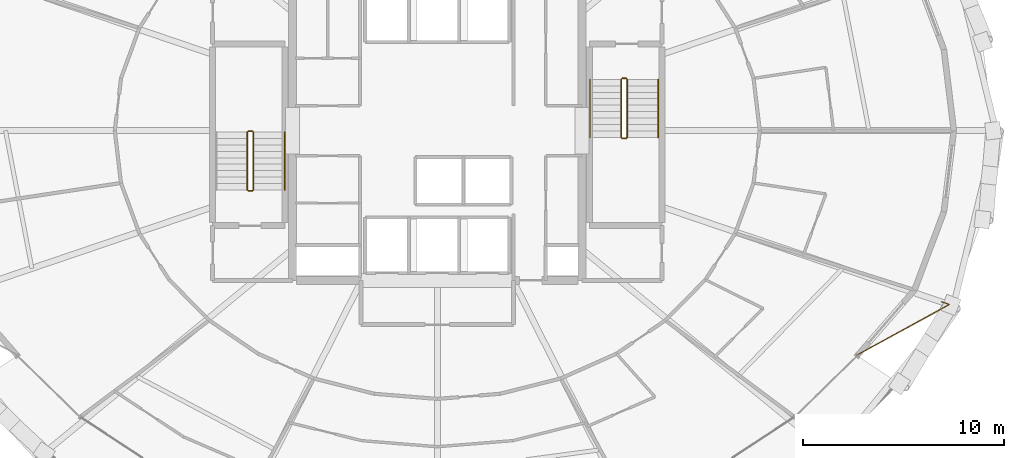
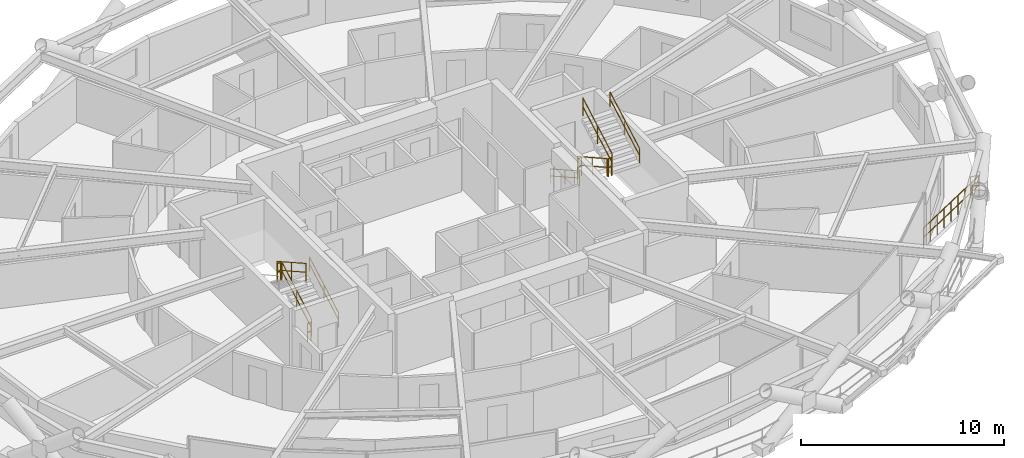
# One storey, part 19 of 19: 12 railings.
"""IFC4 building model written with IfcOpenShell, lengths in metres."""

from ifc_helpers import new_model, si_unit, direction, frame, origin, origin_2d, place, context, subcontext, project, spatial, circle, extrude, material, type_object, element, save


model = new_model("IFC4")

# Units and contexts
model_context = context("Model", 3, precision=1e-05, world=origin(), true_north=direction((0.0, 1.0)))
body_context = subcontext(model_context, "Body", "Model", "MODEL_VIEW")
ifc_project = project(units=[si_unit("LENGTHUNIT", "METRE"), si_unit("AREAUNIT", "SQUARE_METRE"), si_unit("VOLUMEUNIT", "CUBIC_METRE"), si_unit("PLANEANGLEUNIT", "RADIAN"), si_unit("MASSUNIT", "GRAM", prefix="KILO")], contexts=[model_context])

# Site, building, storey
site_placement = place(None, origin())
site = spatial("IfcSite", under=ifc_project, at=site_placement, CompositionType="ELEMENT")
building_placement = place(site_placement, origin())
building = spatial("IfcBuilding", under=site, at=building_placement, Name="Veldorina Hangang Commons", CompositionType="ELEMENT")
storey_placement = place(building_placement, frame((0.0, 0.0, 34.0)))
storey = spatial("IfcBuildingStorey", under=building, at=storey_placement, Name="L07", CompositionType="ELEMENT", Elevation=34.0)

# Railings
ifc_material_1 = material(Name="Glass Laminated Safety Balustrade", Category="glass")
railing_type_1 = type_object("IfcRailingType", Name="RL-BAL-LOGGIA", PredefinedType="BALUSTRADE", material=ifc_material_1)
railing_1_placement = place(storey_placement, frame((57.08837890625, 15.486083984375, 0.0)))
element("IfcRailing", 1, at=railing_1_placement, inside=storey, type_object=railing_type_1, Name="L07 sky-garden loggia end balustrade B", PredefinedType="BALUSTRADE", context=body_context, shape_type="SweptSolid", body=[
    extrude(circle(Radius=0.02392578125, at=origin_2d()), frame((0.0, 0.0, 1.17578125), z_axis=(0.946924996106, -0.321454587383, 0.0), x_axis=(0.321454587383, 0.946924996106, 0.0)), (0.0, 0.0, 1.0), 0.419921875),
    extrude(circle(Radius=0.02392578125, at=origin_2d()), frame((0.0, 0.0, 0.60009765625), z_axis=(0.946924996106, -0.321454587383, 0.0), x_axis=(0.321454587383, 0.946924996106, 0.0)), (0.0, 0.0, 1.0), 0.419921875),
    extrude(circle(Radius=0.02392578125, at=origin_2d()), frame((0.397705078125, -0.135009765625, 1.17578125), z_axis=(-0.877056677059, -0.480386912005, 0.0), x_axis=(0.480386912005, -0.877056677059, 0.0)), (0.0, 0.0, 1.0), 5.258056640625),
    extrude(circle(Radius=0.02392578125, at=origin_2d()), frame((0.397705078125, -0.135009765625, 0.60009765625), z_axis=(-0.877056677059, -0.480386912005, 0.0), x_axis=(0.480386912005, -0.877056677059, 0.0)), (0.0, 0.0, 1.0), 5.258056640625),
    extrude(circle(Radius=0.02099609375, at=origin_2d()), origin(), (0.0, 0.0, 1.0), 1.15185546875),
    extrude(circle(Radius=0.02099609375, at=origin_2d()), frame((0.397705078125, -0.135009765625, 0.0)), (0.0, 0.0, 1.0), 1.15185546875),
    extrude(circle(Radius=0.02099609375, at=origin_2d()), frame((-0.1787109375, -0.45068359375, 0.0)), (0.0, 0.0, 1.0), 1.15185546875),
    extrude(circle(Radius=0.02099609375, at=origin_2d()), frame((-0.755126953125, -0.7666015625, 0.0)), (0.0, 0.0, 1.0), 1.15185546875),
    extrude(circle(Radius=0.02099609375, at=origin_2d()), frame((-1.33154296875, -1.082275390625, 0.0)), (0.0, 0.0, 1.0), 1.15185546875),
    extrude(circle(Radius=0.02099609375, at=origin_2d()), frame((-1.908203125, -1.39794921875, 0.0)), (0.0, 0.0, 1.0), 1.15185546875),
    extrude(circle(Radius=0.02099609375, at=origin_2d()), frame((-2.484619140625, -1.713623046875, 0.0)), (0.0, 0.0, 1.0), 1.15185546875),
    extrude(circle(Radius=0.02099609375, at=origin_2d()), frame((-3.06103515625, -2.029296875, 0.0)), (0.0, 0.0, 1.0), 1.15185546875),
    extrude(circle(Radius=0.02099609375, at=origin_2d()), frame((-3.637451171875, -2.34521484375, 0.0)), (0.0, 0.0, 1.0), 1.15185546875),
    extrude(circle(Radius=0.02099609375, at=origin_2d()), frame((-4.2138671875, -2.660888671875, 0.0)), (0.0, 0.0, 1.0), 1.15185546875),
])
ifc_material_2 = material(Name="Steel Painted Balustrade", Category="steel")
railing_type_2 = type_object("IfcRailingType", Name="RL-GRD-STAIR", PredefinedType="GUARDRAIL", material=ifc_material_2)
railing_2_placement = place(storey_placement, frame((22.85009765625, 21.050048828125, 0.179931640625)))
element("IfcRailing", 2, at=railing_2_placement, inside=storey, type_object=railing_type_2, Name="L07 ST-1 stair guard 1", PredefinedType="GUARDRAIL", context=body_context, shape_type="SweptSolid", body=[
    extrude(circle(Radius=0.02392578125, at=origin_2d()), frame((0.0, 0.0, 1.076171875), z_axis=(0.0, 0.87155185771, 0.490303333991), x_axis=(-1.0, 0.0, 0.0)), (0.0, 0.0, 1.0), 3.30419921875),
    extrude(circle(Radius=0.02392578125, at=origin_2d()), frame((0.0, 0.0, 0.550048828125), z_axis=(0.0, 0.87155185771, 0.490303333991), x_axis=(-1.0, 0.0, 0.0)), (0.0, 0.0, 1.0), 3.30419921875),
    extrude(circle(Radius=0.02099609375, at=origin_2d()), origin(), (0.0, 0.0, 1.0), 1.052001953125),
    extrude(circle(Radius=0.02099609375, at=origin_2d()), frame((0.0, 1.43994140625, 0.81005859375)), (0.0, 0.0, 1.0), 1.052001953125),
    extrude(circle(Radius=0.02099609375, at=origin_2d()), frame((0.0, 2.8798828125, 1.6201171875)), (0.0, 0.0, 1.0), 1.052001953125),
])
railing_3_placement = place(storey_placement, frame((22.800048828125, 23.97998046875, 1.800048828125)))
element("IfcRailing", 3, at=railing_3_placement, inside=storey, type_object=railing_type_2, Name="L07 ST-1 stair guard 2", PredefinedType="GUARDRAIL", context=body_context, shape_type="SweptSolid", body=[
    extrude(circle(Radius=0.02392578125, at=origin_2d()), frame((0.0, 0.0, 1.076171875), z_axis=(-1.0, 0.0, 0.0), x_axis=(0.0, -1.0, 0.0)), (0.0, 0.0, 1.0), 0.199951171875),
    extrude(circle(Radius=0.02392578125, at=origin_2d()), frame((0.0, 0.0, 0.550048828125), z_axis=(-1.0, 0.0, 0.0), x_axis=(0.0, -1.0, 0.0)), (0.0, 0.0, 1.0), 0.199951171875),
    extrude(circle(Radius=0.02099609375, at=origin_2d()), origin(), (0.0, 0.0, 1.0), 1.052001953125),
    extrude(circle(Radius=0.02099609375, at=origin_2d()), frame((-0.199951171875, 0.0, 0.0)), (0.0, 0.0, 1.0), 1.052001953125),
])
railing_4_placement = place(storey_placement, frame((22.550048828125, 23.929931640625, 1.97998046875)))
element("IfcRailing", 4, at=railing_4_placement, inside=storey, type_object=railing_type_2, Name="L07 ST-1 stair guard 3", PredefinedType="GUARDRAIL", context=body_context, shape_type="SweptSolid", body=[
    extrude(circle(Radius=0.02392578125, at=origin_2d()), frame((0.0, 0.0, 1.076171875), z_axis=(0.0, -0.87155185771, 0.490303333991), x_axis=(1.0, 0.0, 0.0)), (0.0, 0.0, 1.0), 3.30419921875),
    extrude(circle(Radius=0.02392578125, at=origin_2d()), frame((0.0, 0.0, 0.550048828125), z_axis=(0.0, -0.87155185771, 0.490303333991), x_axis=(1.0, 0.0, 0.0)), (0.0, 0.0, 1.0), 3.30419921875),
    extrude(circle(Radius=0.02099609375, at=origin_2d()), origin(), (0.0, 0.0, 1.0), 1.052001953125),
    extrude(circle(Radius=0.02099609375, at=origin_2d()), frame((0.0, -1.43994140625, 0.81005859375)), (0.0, 0.0, 1.0), 1.052001953125),
    extrude(circle(Radius=0.02099609375, at=origin_2d()), frame((0.0, -2.8798828125, 1.6201171875)), (0.0, 0.0, 1.0), 1.052001953125),
])
railing_5_placement = place(storey_placement, frame((22.800048828125, 21.0, 0.0)))
element("IfcRailing", 5, at=railing_5_placement, inside=storey, type_object=railing_type_2, Name="L07 ST-1 stair guard 4", PredefinedType="GUARDRAIL", context=body_context, shape_type="SweptSolid", body=[
    extrude(circle(Radius=0.02392578125, at=origin_2d()), frame((0.0, 0.0, 1.076171875), z_axis=(-1.0, 0.0, 0.0), x_axis=(0.0, -1.0, 0.0)), (0.0, 0.0, 1.0), 0.199951171875),
    extrude(circle(Radius=0.02392578125, at=origin_2d()), frame((0.0, 0.0, 0.550048828125), z_axis=(-1.0, 0.0, 0.0), x_axis=(0.0, -1.0, 0.0)), (0.0, 0.0, 1.0), 0.199951171875),
    extrude(circle(Radius=0.02099609375, at=origin_2d()), origin(), (0.0, 0.0, 1.0), 1.052001953125),
    extrude(circle(Radius=0.02099609375, at=origin_2d()), frame((-0.199951171875, 0.0, 0.0)), (0.0, 0.0, 1.0), 1.052001953125),
])
railing_6_placement = place(storey_placement, frame((41.14990234375, 26.550048828125, 0.179931640625)))
element("IfcRailing", 6, at=railing_6_placement, inside=storey, type_object=railing_type_2, Name="L07 ST-2 stair guard 1", PredefinedType="GUARDRAIL", context=body_context, shape_type="SweptSolid", body=[
    extrude(circle(Radius=0.02392578125, at=origin_2d()), frame((0.0, 0.0, 1.076171875), z_axis=(0.0, -0.871569617843, 0.490271762652), x_axis=(1.0, 0.0, 0.0)), (0.0, 0.0, 1.0), 3.304443359375),
    extrude(circle(Radius=0.02392578125, at=origin_2d()), frame((0.0, 0.0, 0.550048828125), z_axis=(0.0, -0.871569617843, 0.490271762652), x_axis=(1.0, 0.0, 0.0)), (0.0, 0.0, 1.0), 3.304443359375),
    extrude(circle(Radius=0.02099609375, at=origin_2d()), origin(), (0.0, 0.0, 1.0), 1.052001953125),
    extrude(circle(Radius=0.02099609375, at=origin_2d()), frame((0.0, -1.43994140625, 0.81005859375)), (0.0, 0.0, 1.0), 1.052001953125),
    extrude(circle(Radius=0.02099609375, at=origin_2d()), frame((0.0, -2.880126953125, 1.6201171875)), (0.0, 0.0, 1.0), 1.052001953125),
])
railing_7_placement = place(storey_placement, frame((41.199951171875, 23.6201171875, 1.800048828125)))
element("IfcRailing", 7, at=railing_7_placement, inside=storey, type_object=railing_type_2, Name="L07 ST-2 stair guard 2", PredefinedType="GUARDRAIL", context=body_context, shape_type="SweptSolid", body=[
    extrude(circle(Radius=0.02392578125, at=origin_2d()), frame((0.0, 0.0, 1.076171875), z_axis=(1.0, 0.0, 0.0), x_axis=(0.0, 1.0, 0.0)), (0.0, 0.0, 1.0), 0.199951171875),
    extrude(circle(Radius=0.02392578125, at=origin_2d()), frame((0.0, 0.0, 0.550048828125), z_axis=(1.0, 0.0, 0.0), x_axis=(0.0, 1.0, 0.0)), (0.0, 0.0, 1.0), 0.199951171875),
    extrude(circle(Radius=0.02099609375, at=origin_2d()), origin(), (0.0, 0.0, 1.0), 1.052001953125),
    extrude(circle(Radius=0.02099609375, at=origin_2d()), frame((0.199951171875, 0.0, 0.0)), (0.0, 0.0, 1.0), 1.052001953125),
])
railing_8_placement = place(storey_placement, frame((41.449951171875, 23.669921875, 1.97998046875)))
element("IfcRailing", 8, at=railing_8_placement, inside=storey, type_object=railing_type_2, Name="L07 ST-2 stair guard 3", PredefinedType="GUARDRAIL", context=body_context, shape_type="SweptSolid", body=[
    extrude(circle(Radius=0.02392578125, at=origin_2d()), frame((0.0, 0.0, 1.076171875), z_axis=(0.0, 0.871569617843, 0.490271762652), x_axis=(-1.0, 0.0, 0.0)), (0.0, 0.0, 1.0), 3.304443359375),
    extrude(circle(Radius=0.02392578125, at=origin_2d()), frame((0.0, 0.0, 0.550048828125), z_axis=(0.0, 0.871569617843, 0.490271762652), x_axis=(-1.0, 0.0, 0.0)), (0.0, 0.0, 1.0), 3.304443359375),
    extrude(circle(Radius=0.02099609375, at=origin_2d()), origin(), (0.0, 0.0, 1.0), 1.052001953125),
    extrude(circle(Radius=0.02099609375, at=origin_2d()), frame((0.0, 1.43994140625, 0.81005859375)), (0.0, 0.0, 1.0), 1.052001953125),
    extrude(circle(Radius=0.02099609375, at=origin_2d()), frame((0.0, 2.880126953125, 1.6201171875)), (0.0, 0.0, 1.0), 1.052001953125),
])
railing_9_placement = place(storey_placement, frame((41.199951171875, 26.60009765625, 0.0)))
element("IfcRailing", 9, at=railing_9_placement, inside=storey, type_object=railing_type_2, Name="L07 ST-2 stair guard 4", PredefinedType="GUARDRAIL", context=body_context, shape_type="SweptSolid", body=[
    extrude(circle(Radius=0.02392578125, at=origin_2d()), frame((0.0, 0.0, 1.076171875), z_axis=(1.0, 0.0, 0.0), x_axis=(0.0, 1.0, 0.0)), (0.0, 0.0, 1.0), 0.199951171875),
    extrude(circle(Radius=0.02392578125, at=origin_2d()), frame((0.0, 0.0, 0.550048828125), z_axis=(1.0, 0.0, 0.0), x_axis=(0.0, 1.0, 0.0)), (0.0, 0.0, 1.0), 0.199951171875),
    extrude(circle(Radius=0.02099609375, at=origin_2d()), origin(), (0.0, 0.0, 1.0), 1.052001953125),
    extrude(circle(Radius=0.02099609375, at=origin_2d()), frame((0.199951171875, 0.0, 0.0)), (0.0, 0.0, 1.0), 1.052001953125),
])
ifc_material_3 = material(Name="Stainless Steel Brushed 316", Category="steel")
railing_type_3 = type_object("IfcRailingType", Name="RL-HND-STAIR", PredefinedType="HANDRAIL", material=ifc_material_3)
railing_10_placement = place(storey_placement, frame((24.39990234375, 21.050048828125, 0.179931640625)))
element("IfcRailing", 10, at=railing_10_placement, inside=storey, type_object=railing_type_3, Name="L07 ST-1 stair handrail 1", PredefinedType="HANDRAIL", context=body_context, shape_type="SweptSolid", body=[
    extrude(circle(Radius=0.02392578125, at=origin_2d()), frame((0.0, 0.0, 0.8759765625), z_axis=(0.0, 0.87155185771, 0.490303333991), x_axis=(-1.0, 0.0, 0.0)), (0.0, 0.0, 1.0), 3.30419921875),
    extrude(circle(Radius=0.02392578125, at=origin_2d()), frame((0.0, 0.0, 0.449951171875), z_axis=(0.0, 0.87155185771, 0.490303333991), x_axis=(-1.0, 0.0, 0.0)), (0.0, 0.0, 1.0), 3.30419921875),
    extrude(circle(Radius=0.02099609375, at=origin_2d()), origin(), (0.0, 0.0, 1.0), 0.851806640625),
    extrude(circle(Radius=0.02099609375, at=origin_2d()), frame((0.0, 1.43994140625, 0.81005859375)), (0.0, 0.0, 1.0), 0.851806640625),
    extrude(circle(Radius=0.02099609375, at=origin_2d()), frame((0.0, 2.8798828125, 1.6201171875)), (0.0, 0.0, 1.0), 0.851806640625),
])
railing_11_placement = place(storey_placement, frame((39.60009765625, 26.550048828125, 0.179931640625)))
element("IfcRailing", 11, at=railing_11_placement, inside=storey, type_object=railing_type_3, Name="L07 ST-2 stair handrail 1", PredefinedType="HANDRAIL", context=body_context, shape_type="SweptSolid", body=[
    extrude(circle(Radius=0.02392578125, at=origin_2d()), frame((0.0, 0.0, 0.8759765625), z_axis=(0.0, -0.871569617843, 0.490271762652), x_axis=(1.0, 0.0, 0.0)), (0.0, 0.0, 1.0), 3.304443359375),
    extrude(circle(Radius=0.02392578125, at=origin_2d()), frame((0.0, 0.0, 0.449951171875), z_axis=(0.0, -0.871569617843, 0.490271762652), x_axis=(1.0, 0.0, 0.0)), (0.0, 0.0, 1.0), 3.304443359375),
    extrude(circle(Radius=0.02099609375, at=origin_2d()), origin(), (0.0, 0.0, 1.0), 0.851806640625),
    extrude(circle(Radius=0.02099609375, at=origin_2d()), frame((0.0, -1.43994140625, 0.81005859375)), (0.0, 0.0, 1.0), 0.851806640625),
    extrude(circle(Radius=0.02099609375, at=origin_2d()), frame((0.0, -2.880126953125, 1.6201171875)), (0.0, 0.0, 1.0), 0.851806640625),
])
railing_12_placement = place(storey_placement, frame((43.0, 23.669921875, 1.97998046875)))
element("IfcRailing", 12, at=railing_12_placement, inside=storey, type_object=railing_type_3, Name="L07 ST-2 stair handrail 2", PredefinedType="HANDRAIL", context=body_context, shape_type="SweptSolid", body=[
    extrude(circle(Radius=0.02392578125, at=origin_2d()), frame((0.0, 0.0, 0.8759765625), z_axis=(0.0, 0.871569617843, 0.490271762652), x_axis=(-1.0, 0.0, 0.0)), (0.0, 0.0, 1.0), 3.304443359375),
    extrude(circle(Radius=0.02392578125, at=origin_2d()), frame((0.0, 0.0, 0.449951171875), z_axis=(0.0, 0.871569617843, 0.490271762652), x_axis=(-1.0, 0.0, 0.0)), (0.0, 0.0, 1.0), 3.304443359375),
    extrude(circle(Radius=0.02099609375, at=origin_2d()), origin(), (0.0, 0.0, 1.0), 0.851806640625),
    extrude(circle(Radius=0.02099609375, at=origin_2d()), frame((0.0, 1.43994140625, 0.81005859375)), (0.0, 0.0, 1.0), 0.851806640625),
    extrude(circle(Radius=0.02099609375, at=origin_2d()), frame((0.0, 2.880126953125, 1.6201171875)), (0.0, 0.0, 1.0), 0.851806640625),
])

save(model, "model.ifc")
